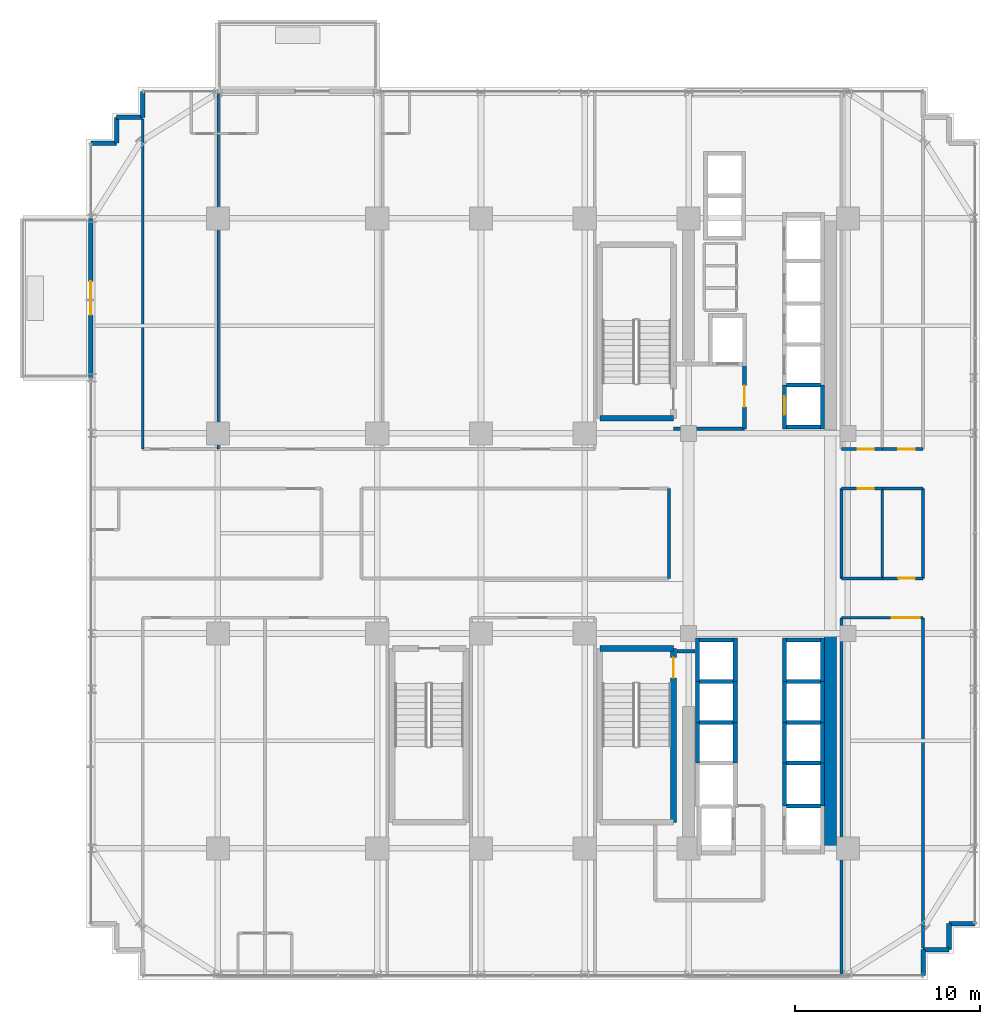
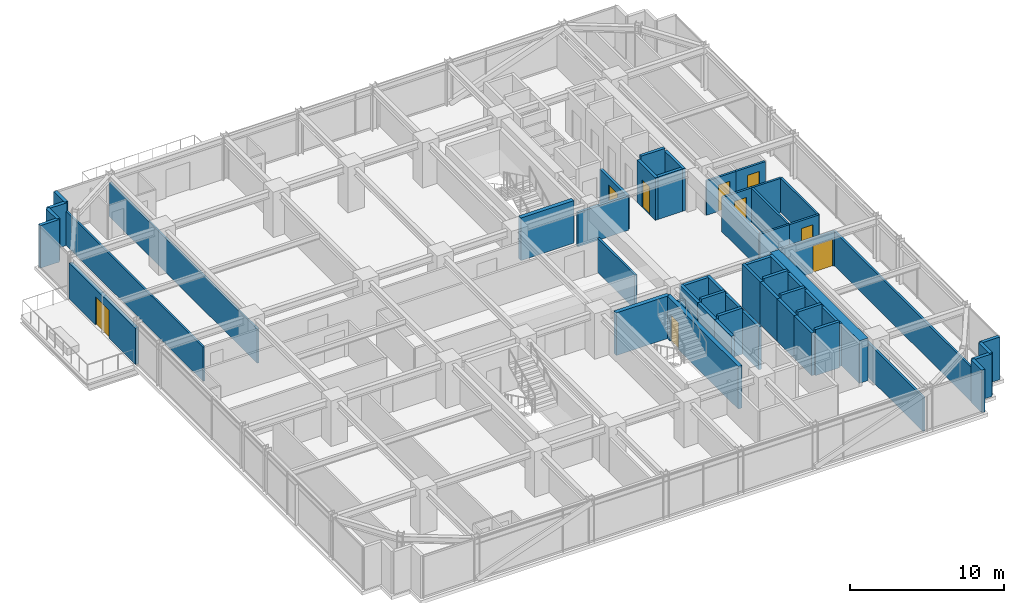
# One storey, part 29 of 35: 57 walls, 9 doors, 9 openings.
"""IFC4 building model written with IfcOpenShell, lengths in metres."""

from ifc_helpers import new_model, si_unit, direction, frame, frame_2d, origin, place, context, subcontext, project, spatial, rectangle, extrude, source, transform, mapped, material, layer, layer_set, type_object, element, fill, save


model = new_model("IFC4")

# Units and contexts
model_context = context("Model", 3, precision=1e-05, world=origin(), true_north=direction((0.0, 1.0)))
body_context = subcontext(model_context, "Body", "Model", "MODEL_VIEW")
ifc_project = project(units=[si_unit("LENGTHUNIT", "METRE"), si_unit("AREAUNIT", "SQUARE_METRE"), si_unit("VOLUMEUNIT", "CUBIC_METRE"), si_unit("PLANEANGLEUNIT", "RADIAN"), si_unit("MASSUNIT", "GRAM", prefix="KILO")], contexts=[model_context])

# Site, building, storey
site_placement = place(None, origin())
site = spatial("IfcSite", under=ifc_project, at=site_placement, CompositionType="ELEMENT")
building_placement = place(site_placement, origin())
building = spatial("IfcBuilding", under=site, at=building_placement, Name="Nahalor Promenade Grand Hotel", CompositionType="ELEMENT")
storey_placement = place(building_placement, frame((0.0, 0.0, 121.14990234375)))
storey = spatial("IfcBuildingStorey", under=building, at=storey_placement, Name="L30", CompositionType="ELEMENT", Elevation=121.14990234375)

# Walls
ifc_material_1 = material(Name="Concrete B-60 (C50/60)", Category="concrete")
ifc_layer_1 = layer(ifc_material_1, 0.64990234375)
ifc_layer_set_1 = layer_set([ifc_layer_1], Name="Concrete B-60 (C50/60)")
wall_type_1 = type_object("IfcWallType", Name="Wall-CoreShear-650", PredefinedType="SHEAR", material=ifc_layer_set_1)
shared_shape_1 = source(origin(), body_context, "Body", "SweptSolid", [
    extrude(rectangle(XDim=11.60009765625, YDim=0.64990234375, at=frame_2d((5.800048828125, 0.0))), origin(), (0.0, 0.0, 1.0), 3.380126953125),
])
wall_1_placement = place(storey_placement, frame((16.050048828125, -17.0, 0.0), z_axis=(0.0, 0.0, 1.0), x_axis=(0.0, 1.0, 0.0)))
element("IfcWall", 1, at=wall_1_placement, inside=storey, type_object=wall_type_1, Name="CWALL-L30-SE", PredefinedType="SHEAR", context=body_context, shape_type="MappedRepresentation", body=[
    mapped(shared_shape_1, transform((0.0, 0.0, 0.0), scale=1.0)),
])
ifc_material_2 = material(Name="Concrete B-50 (C40/50)", Category="concrete")
ifc_layer_2 = layer(ifc_material_2, 0.300048828125)
ifc_layer_set_2 = layer_set([ifc_layer_2], Name="Concrete B-50 (C40/50)")
wall_type_2 = type_object("IfcWallType", Name="Wall-ShaftShear-300", PredefinedType="SHEAR", material=ifc_layer_set_2)
shared_shape_2 = source(origin(), body_context, "Body", "SweptSolid", [
    extrude(rectangle(XDim=3.97998046875, YDim=0.300048828125, at=frame_2d((1.989990234375, 0.0))), origin(), (0.0, 0.0, 1.0), 3.380126953125),
])
for number, where, z_axis, x_axis, name in (
    (2, (3.610107421875, 6.2099609375, 0.0), (0.0, 0.0, 1.0), (1.0, 0.0, 0.0), "L30 Exit Stair ST1 Shaft Wall S"),
    (3, (3.610107421875, -6.2099609375, 0.0), (0.0, 0.0, 1.0), (1.0, 0.0, 0.0), "L30 Exit Stair ST2 Shaft Wall N"),
):
    element("IfcWall", number, at=place(storey_placement, frame(where, z_axis=z_axis, x_axis=x_axis)), inside=storey, type_object=wall_type_2, Name=name, PredefinedType="SHEAR", context=body_context, shape_type="MappedRepresentation", body=[
        mapped(shared_shape_2, transform((0.0, 0.0, 0.0), scale=1.0)),
    ])

# Wall, opening, door
shared_shape_3 = source(origin(), body_context, "Body", "SweptSolid", [
    extrude(rectangle(XDim=9.380126953125, YDim=0.300048828125, at=frame_2d((4.68994140625, 0.0))), origin(), (0.0, 0.0, 1.0), 3.380126953125),
])
wall_2_placement = place(storey_placement, frame((7.590087890625, -15.590087890625, 0.0), z_axis=(0.0, 0.0, 1.0), x_axis=(0.0, 1.0, 0.0)))
wall_2 = element("IfcWall", 4, at=wall_2_placement, inside=storey, type_object=wall_type_2, Name="L30 Exit Stair ST2 Shaft Wall E", PredefinedType="SHEAR", context=body_context, shape_type="MappedRepresentation", body=[
    mapped(shared_shape_3, transform((0.0, 0.0, 0.0), scale=1.0)),
])
opening_1_placement = place(wall_2_placement, frame((7.7900390625, 0.0, 0.0)))
opening_1 = element("IfcOpeningElement", 5, at=opening_1_placement, cuts=wall_2, Name="Opening D-ST1", PredefinedType="OPENING", context=body_context, shape_type="SweptSolid", body=[
    extrude(rectangle(XDim=1.10009765625, YDim=2.14990234375, at=frame_2d((0.550048828125, 1.074951171875))), frame((0.0, 0.159912109375, 0.0), z_axis=(0.0, -1.0, 0.0), x_axis=(1.0, 0.0, 0.0)), (0.0, 0.0, 1.0), 0.320068359375),
])
ifc_material_3 = material(Name="Steel S355JR", Category="steel")
door_type_1 = type_object("IfcDoorType", Name="Door-StairFire-1100", OperationType="NOTDEFINED", PredefinedType="DOOR", material=ifc_material_3)
shared_shape_4 = source(origin(), body_context, "Body", "SweptSolid", [
    extrude(rectangle(XDim=1.10009765625, YDim=2.14990234375, at=frame_2d((0.550048828125, 1.074951171875))), frame((0.0, 0.02490234375, 0.0), z_axis=(0.0, -1.0, 0.0), x_axis=(1.0, 0.0, 0.0)), (0.0, 0.0, 1.0), 0.050048828125),
])
door_1_placement = place(opening_1_placement, origin())
door_1 = element("IfcDoor", 6, at=door_1_placement, inside=storey, type_object=door_type_1, Name="DR-STAIR-ST2-L30", OperationType="SINGLE_SWING_LEFT", OverallHeight=2.14990234375, OverallWidth=1.10009765625, PredefinedType="DOOR", context=body_context, shape_type="MappedRepresentation", body=[
    mapped(shared_shape_4, transform((0.0, 0.0, 0.0), scale=1.0)),
])
fill(opening_1, door_1)

# Walls
ifc_layer_3 = layer(ifc_material_2, 0.219970703125)
ifc_layer_set_3 = layer_set([ifc_layer_3], Name="Concrete B-50 (C40/50)")
wall_type_3 = type_object("IfcWallType", Name="Wall-LiftShaft-220", PredefinedType="SHEAR", material=ifc_layer_set_3)
shared_shape_5 = source(origin(), body_context, "Body", "SweptSolid", [
    extrude(rectangle(XDim=1.820068359375, YDim=0.219970703125, at=frame_2d((0.91015625, 0.0))), origin(), (0.0, 0.0, 1.0), 3.650146484375),
])
for number, where, z_axis, x_axis, name in (
    (7, (13.68994140625, 8.0, 0.0), (0.0, 0.0, 1.0), (1.0, 0.0, 0.0), "L30 Lift PL1 Hoistway Wall N"),
    (8, (13.68994140625, -8.0, 0.0), (0.0, 0.0, 1.0), (1.0, 0.0, 0.0), "L30 Lift PL6 Hoistway Wall N"),
    (9, (13.68994140625, -10.199951171875, 0.0), (0.0, 0.0, 1.0), (1.0, 0.0, 0.0), "L30 Lift PL7 Hoistway Wall N"),
    (10, (13.68994140625, -12.39990234375, 0.0), (0.0, 0.0, 1.0), (1.0, 0.0, 0.0), "L30 Lift PL8 Hoistway Wall N"),
    (11, (8.989990234375, -8.0, 0.0), (0.0, 0.0, 1.0), (1.0, 0.0, 0.0), "L30 Lift PL10 Hoistway Wall N"),
    (12, (8.989990234375, -10.199951171875, 0.0), (0.0, 0.0, 1.0), (1.0, 0.0, 0.0), "L30 Lift PL11 Hoistway Wall N"),
    (13, (13.68994140625, -14.699951171875, 0.0), (0.0, 0.0, 1.0), (1.0, 0.0, 0.0), "L30 Lift SV2 Hoistway Wall N"),
):
    element("IfcWall", number, at=place(storey_placement, frame(where, z_axis=z_axis, x_axis=x_axis)), inside=storey, type_object=wall_type_3, Name=name, PredefinedType="SHEAR", context=body_context, shape_type="MappedRepresentation", body=[
        mapped(shared_shape_5, transform((0.0, 0.0, 0.0), scale=1.0)),
    ])

# Wall, opening, door
shared_shape_6 = source(origin(), body_context, "Body", "SweptSolid", [
    extrude(rectangle(XDim=2.360107421875, YDim=0.219970703125, at=frame_2d((1.18017578125, 0.0))), origin(), (0.0, 0.0, 1.0), 3.380126953125),
])
wall_3_placement = place(storey_placement, frame((13.580078125, 5.639892578125, 0.0), z_axis=(0.0, 0.0, 1.0), x_axis=(0.0, 1.0, 0.0)))
wall_3 = element("IfcWall", 14, at=wall_3_placement, inside=storey, type_object=wall_type_3, Name="L30 Lift PL1 Hoistway Wall W", PredefinedType="SHEAR", context=body_context, shape_type="MappedRepresentation", body=[
    mapped(shared_shape_6, transform((0.0, 0.0, 0.0), scale=1.0)),
])
opening_2_placement = place(wall_3_placement, frame((0.760009765625, 0.0, 0.0)))
opening_2 = element("IfcOpeningElement", 15, at=opening_2_placement, cuts=wall_3, Name="Opening LD-01", PredefinedType="OPENING", context=body_context, shape_type="SweptSolid", body=[
    extrude(rectangle(XDim=1.0, YDim=2.199951171875, at=frame_2d((0.5, 1.10009765625))), frame((0.0, 0.119873046875, 0.0), z_axis=(0.0, -1.0, 0.0), x_axis=(1.0, 0.0, 0.0)), (0.0, 0.0, 1.0), 0.239990234375),
])
door_type_2 = type_object("IfcDoorType", Name="Door-LiftLanding-1000", OperationType="DOUBLE_DOOR_SLIDING", PredefinedType="DOOR", material=ifc_material_3)
shared_shape_7 = source(origin(), body_context, "Body", "SweptSolid", [
    extrude(rectangle(XDim=1.0, YDim=2.199951171875, at=frame_2d((0.5, 1.10009765625))), frame((0.0, 0.02490234375, 0.0), z_axis=(0.0, -1.0, 0.0), x_axis=(1.0, 0.0, 0.0)), (0.0, 0.0, 1.0), 0.050048828125),
])
door_2_placement = place(opening_2_placement, origin())
door_2 = element("IfcDoor", 16, at=door_2_placement, inside=storey, type_object=door_type_2, Name="DR-LIFT-PL1-L30", OperationType="DOUBLE_DOOR_SLIDING", OverallHeight=2.199951171875, OverallWidth=1.0, PredefinedType="DOOR", context=body_context, shape_type="MappedRepresentation", body=[
    mapped(shared_shape_7, transform((0.0, 0.0, 0.0), scale=1.0)),
])
fill(opening_2, door_2)

# Walls
for number, where, z_axis, x_axis, name in (
    (17, (15.6201171875, 5.639892578125, 0.0), (0.0, 0.0, 1.0), (0.0, 1.0, 0.0), "L30 Lift PL1 Hoistway Wall E"),
    (18, (13.580078125, -8.0, 0.0), (0.0, 0.0, 1.0), (0.0, 1.0, 0.0), "L30 Lift PL5 Hoistway Wall W"),
    (19, (15.6201171875, -8.0, 0.0), (0.0, 0.0, 1.0), (0.0, 1.0, 0.0), "L30 Lift PL5 Hoistway Wall E"),
    (20, (8.8798828125, -8.0, 0.0), (0.0, 0.0, 1.0), (0.0, 1.0, 0.0), "L30 Lift PL9 Hoistway Wall W"),
    (21, (10.919921875, -8.0, 0.0), (0.0, 0.0, 1.0), (0.0, 1.0, 0.0), "L30 Lift PL9 Hoistway Wall E"),
):
    element("IfcWall", number, at=place(storey_placement, frame(where, z_axis=z_axis, x_axis=x_axis)), inside=storey, type_object=wall_type_3, Name=name, PredefinedType="SHEAR", context=body_context, shape_type="MappedRepresentation", body=[
        mapped(shared_shape_6, transform((0.0, 0.0, 0.0), scale=1.0)),
    ])
shared_shape_8 = source(origin(), body_context, "Body", "SweptSolid", [
    extrude(rectangle(XDim=1.820068359375, YDim=0.219970703125, at=frame_2d((0.91015625, 0.0))), origin(), (0.0, 0.0, 1.0), 3.380126953125),
])
for number, where, z_axis, x_axis, name in (
    (22, (13.68994140625, 5.75, 0.0), (0.0, 0.0, 1.0), (1.0, 0.0, 0.0), "L30 Lift PL1 Hoistway Wall S"),
    (23, (13.68994140625, -5.75, 0.0), (0.0, 0.0, 1.0), (1.0, 0.0, 0.0), "L30 Lift PL5 Hoistway Wall N"),
    (24, (8.989990234375, -5.75, 0.0), (0.0, 0.0, 1.0), (1.0, 0.0, 0.0), "L30 Lift PL9 Hoistway Wall N"),
):
    element("IfcWall", number, at=place(storey_placement, frame(where, z_axis=z_axis, x_axis=x_axis)), inside=storey, type_object=wall_type_3, Name=name, PredefinedType="SHEAR", context=body_context, shape_type="MappedRepresentation", body=[
        mapped(shared_shape_8, transform((0.0, 0.0, 0.0), scale=1.0)),
    ])
shared_shape_9 = source(origin(), body_context, "Body", "SweptSolid", [
    extrude(rectangle(XDim=2.199951171875, YDim=0.219970703125, at=frame_2d((1.10009765625, 0.0))), origin(), (0.0, 0.0, 1.0), 3.380126953125),
])
for number, where, z_axis, x_axis, name in (
    (25, (13.580078125, -10.199951171875, 0.0), (0.0, 0.0, 1.0), (0.0, 1.0, 0.0), "L30 Lift PL6 Hoistway Wall W"),
    (26, (15.6201171875, -10.199951171875, 0.0), (0.0, 0.0, 1.0), (0.0, 1.0, 0.0), "L30 Lift PL6 Hoistway Wall E"),
    (27, (13.580078125, -12.39990234375, 0.0), (0.0, 0.0, 1.0), (0.0, 1.0, 0.0), "L30 Lift PL7 Hoistway Wall W"),
    (28, (15.6201171875, -12.39990234375, 0.0), (0.0, 0.0, 1.0), (0.0, 1.0, 0.0), "L30 Lift PL7 Hoistway Wall E"),
    (29, (8.8798828125, -10.199951171875, 0.0), (0.0, 0.0, 1.0), (0.0, 1.0, 0.0), "L30 Lift PL10 Hoistway Wall W"),
    (30, (10.919921875, -10.199951171875, 0.0), (0.0, 0.0, 1.0), (0.0, 1.0, 0.0), "L30 Lift PL10 Hoistway Wall E"),
    (31, (8.8798828125, -12.39990234375, 0.0), (0.0, 0.0, 1.0), (0.0, 1.0, 0.0), "L30 Lift PL11 Hoistway Wall W"),
    (32, (10.919921875, -12.39990234375, 0.0), (0.0, 0.0, 1.0), (0.0, 1.0, 0.0), "L30 Lift PL11 Hoistway Wall E"),
):
    element("IfcWall", number, at=place(storey_placement, frame(where, z_axis=z_axis, x_axis=x_axis)), inside=storey, type_object=wall_type_3, Name=name, PredefinedType="SHEAR", context=body_context, shape_type="MappedRepresentation", body=[
        mapped(shared_shape_9, transform((0.0, 0.0, 0.0), scale=1.0)),
    ])
shared_shape_10 = source(origin(), body_context, "Body", "SweptSolid", [
    extrude(rectangle(XDim=2.300048828125, YDim=0.219970703125, at=frame_2d((1.14990234375, 0.0))), origin(), (0.0, 0.0, 1.0), 3.380126953125),
])
for number, where, z_axis, x_axis, name in (
    (33, (13.580078125, -14.699951171875, 0.0), (0.0, 0.0, 1.0), (0.0, 1.0, 0.0), "L30 Lift PL8 Hoistway Wall W"),
    (34, (15.6201171875, -14.699951171875, 0.0), (0.0, 0.0, 1.0), (0.0, 1.0, 0.0), "L30 Lift PL8 Hoistway Wall E"),
):
    element("IfcWall", number, at=place(storey_placement, frame(where, z_axis=z_axis, x_axis=x_axis)), inside=storey, type_object=wall_type_3, Name=name, PredefinedType="SHEAR", context=body_context, shape_type="MappedRepresentation", body=[
        mapped(shared_shape_10, transform((0.0, 0.0, 0.0), scale=1.0)),
    ])
ifc_material_4 = material(Name="Concrete B-40 (C32/40)", Category="concrete")
ifc_layer_4 = layer(ifc_material_4, 0.25)
ifc_layer_set_4 = layer_set([ifc_layer_4], Name="Concrete B-40 (C32/40)")
wall_type_4 = type_object("IfcWallType", Name="Wall-BronzePier-250", PredefinedType="STANDARD", material=ifc_layer_set_4)
shared_shape_11 = source(origin(), body_context, "Body", "SweptSolid", [
    extrude(rectangle(XDim=1.400146484375, YDim=0.25, at=frame_2d((0.7001953125, 0.0))), origin(), (0.0, 0.0, 1.0), 3.380126953125),
])
for number, where, z_axis, x_axis, name in (
    (35, (21.06005859375, -23.860107421875, 0.0), (0.0, 0.0, 1.0), (0.0, 1.0, 0.0), "W-L30-SR-01"),
    (36, (22.4599609375, -21.06005859375, 0.0), (0.0, 0.0, 1.0), (1.0, 0.0, 0.0), "W-L30-SR-04"),
    (37, (-21.06005859375, 22.4599609375, 0.0), (0.0, 0.0, 1.0), (0.0, 1.0, 0.0), "W-L30-SR-09"),
    (38, (-23.860107421875, 21.06005859375, 0.0), (0.0, 0.0, 1.0), (1.0, 0.0, 0.0), "W-L30-SR-12"),
):
    element("IfcWall", number, at=place(storey_placement, frame(where, z_axis=z_axis, x_axis=x_axis)), inside=storey, type_object=wall_type_4, Name=name, PredefinedType="STANDARD", context=body_context, shape_type="MappedRepresentation", body=[
        mapped(shared_shape_11, transform((0.0, 0.0, 0.0), scale=1.0)),
    ])
shared_shape_12 = source(origin(), body_context, "Body", "SweptSolid", [
    extrude(rectangle(XDim=1.39990234375, YDim=0.25, at=frame_2d((0.699951171875, 0.0))), origin(), (0.0, 0.0, 1.0), 3.380126953125),
])
for number, where, z_axis, x_axis, name in (
    (39, (21.06005859375, -22.4599609375, 0.0), (0.0, 0.0, 1.0), (1.0, 0.0, 0.0), "W-L30-SR-02"),
    (40, (22.4599609375, -22.4599609375, 0.0), (0.0, 0.0, 1.0), (0.0, 1.0, 0.0), "W-L30-SR-03"),
    (41, (-22.4599609375, 22.4599609375, 0.0), (0.0, 0.0, 1.0), (1.0, 0.0, 0.0), "W-L30-SR-10"),
    (42, (-22.4599609375, 21.06005859375, 0.0), (0.0, 0.0, 1.0), (0.0, 1.0, 0.0), "W-L30-SR-11"),
):
    element("IfcWall", number, at=place(storey_placement, frame(where, z_axis=z_axis, x_axis=x_axis)), inside=storey, type_object=wall_type_4, Name=name, PredefinedType="STANDARD", context=body_context, shape_type="MappedRepresentation", body=[
        mapped(shared_shape_12, transform((0.0, 0.0, 0.0), scale=1.0)),
    ])

# Wall, opening, door
ifc_layer_5 = layer(ifc_material_4, 0.260009765625)
ifc_layer_set_5 = layer_set([ifc_layer_5], Name="Concrete B-40 (C32/40)")
wall_type_5 = type_object("IfcWallType", Name="Wall-BalconyWall-260", PredefinedType="STANDARD", material=ifc_layer_set_5)
shared_shape_13 = source(origin(), body_context, "Body", "SweptSolid", [
    extrude(rectangle(XDim=8.60009765625, YDim=0.260009765625, at=frame_2d((4.300048828125, 0.0))), origin(), (0.0, 0.0, 1.0), 2.860107421875),
])
wall_4_placement = place(storey_placement, frame((-23.860107421875, 8.39990234375, 0.0), z_axis=(0.0, 0.0, 1.0), x_axis=(0.0, 1.0, 0.0)))
wall_4 = element("IfcWall", 43, at=wall_4_placement, inside=storey, type_object=wall_type_5, Name="W-L30-BALC-W-2", PredefinedType="STANDARD", context=body_context, shape_type="MappedRepresentation", body=[
    mapped(shared_shape_13, transform((0.0, 0.0, 0.0), scale=1.0)),
])
opening_3_placement = place(wall_4_placement, frame((3.39990234375, 0.0, 0.0)))
opening_3 = element("IfcOpeningElement", 44, at=opening_3_placement, cuts=wall_4, Name="Opening D-BC1", PredefinedType="OPENING", context=body_context, shape_type="SweptSolid", body=[
    extrude(rectangle(XDim=1.800048828125, YDim=2.25, at=frame_2d((0.89990234375, 1.125))), frame((0.0, 0.139892578125, 0.0), z_axis=(0.0, -1.0, 0.0), x_axis=(1.0, 0.0, 0.0)), (0.0, 0.0, 1.0), 0.280029296875),
])
ifc_material_5 = material(Name="Anodised Bronze Aluminium EN AW-6063 T6", Category="aluminium")
door_type_3 = type_object("IfcDoorType", Name="Door-BalconySlide-1800", OperationType="DOUBLE_DOOR_SLIDING", PredefinedType="DOOR", material=ifc_material_5)
shared_shape_14 = source(origin(), body_context, "Body", "SweptSolid", [
    extrude(rectangle(XDim=1.800048828125, YDim=2.25, at=frame_2d((0.89990234375, 1.125))), frame((0.0, 0.02490234375, 0.0), z_axis=(0.0, -1.0, 0.0), x_axis=(1.0, 0.0, 0.0)), (0.0, 0.0, 1.0), 0.050048828125),
])
door_3_placement = place(opening_3_placement, origin())
door_3 = element("IfcDoor", 45, at=door_3_placement, inside=storey, type_object=door_type_3, Name="DR-L30-BALC-W-2", OperationType="DOUBLE_DOOR_SLIDING", OverallHeight=2.25, OverallWidth=1.800048828125, PredefinedType="DOOR", context=body_context, shape_type="MappedRepresentation", body=[
    mapped(shared_shape_14, transform((0.0, 0.0, 0.0), scale=1.0)),
])
fill(opening_3, door_3)

# Wall
ifc_layer_6 = layer(ifc_material_4, 0.199951171875)
ifc_layer_set_6 = layer_set([ifc_layer_6], Name="Concrete B-40 (C32/40)")
wall_type_6 = type_object("IfcWallType", Name="Wall-PartFire-200", PredefinedType="PARTITIONING", material=ifc_layer_set_6)
shared_shape_15 = source(origin(), body_context, "Body", "SweptSolid", [
    extrude(rectangle(XDim=3.81982421875, YDim=0.199951171875, at=frame_2d((1.909912109375, 0.0))), origin(), (0.0, 0.0, 1.0), 2.72021484375),
])
wall_5_placement = place(storey_placement, frame((7.60009765625, 5.64990234375, 0.0), z_axis=(0.0, 0.0, 1.0), x_axis=(1.0, 0.0, 0.0)))
element("IfcWall", 46, at=wall_5_placement, inside=storey, type_object=wall_type_6, Name="W-L30-FF1-S", PredefinedType="PARTITIONING", context=body_context, shape_type="MappedRepresentation", body=[
    mapped(shared_shape_15, transform((0.0, 0.0, 0.0), scale=1.0)),
])

# Wall, opening, door
shared_shape_16 = source(origin(), body_context, "Body", "SweptSolid", [
    extrude(rectangle(XDim=3.5, YDim=0.199951171875, at=frame_2d((1.75, 0.0))), origin(), (0.0, 0.0, 1.0), 2.72021484375),
])
wall_6_placement = place(storey_placement, frame((11.419921875, 5.64990234375, 0.0), z_axis=(0.0, 0.0, 1.0), x_axis=(0.0, 1.0, 0.0)))
wall_6 = element("IfcWall", 47, at=wall_6_placement, inside=storey, type_object=wall_type_6, Name="W-L30-FF1-E", PredefinedType="PARTITIONING", context=body_context, shape_type="MappedRepresentation", body=[
    mapped(shared_shape_16, transform((0.0, 0.0, 0.0), scale=1.0)),
])
opening_4_placement = place(wall_6_placement, frame((1.175048828125, 0.0, 0.0)))
opening_4 = element("IfcOpeningElement", 48, at=opening_4_placement, cuts=wall_6, Name="Opening D-FF1", PredefinedType="OPENING", context=body_context, shape_type="SweptSolid", body=[
    extrude(rectangle(XDim=1.14990234375, YDim=2.14990234375, at=frame_2d((0.574951171875, 1.074951171875))), frame((0.0, 0.10986328125, 0.0), z_axis=(0.0, -1.0, 0.0), x_axis=(1.0, 0.0, 0.0)), (0.0, 0.0, 1.0), 0.219970703125),
])
door_type_4 = type_object("IfcDoorType", Name="Door-FFLobby-1150", OperationType="NOTDEFINED", PredefinedType="DOOR", material=ifc_material_3)
shared_shape_17 = source(origin(), body_context, "Body", "SweptSolid", [
    extrude(rectangle(XDim=1.14990234375, YDim=2.14990234375, at=frame_2d((0.574951171875, 1.074951171875))), frame((0.0, 0.02490234375, 0.0), z_axis=(0.0, -1.0, 0.0), x_axis=(1.0, 0.0, 0.0)), (0.0, 0.0, 1.0), 0.050048828125),
])
door_4_placement = place(opening_4_placement, frame((1.14990234375, 0.0, 0.0), z_axis=(0.0, 0.0, 1.0), x_axis=(-1.0, 0.0, 0.0)))
door_4 = element("IfcDoor", 49, at=door_4_placement, inside=storey, type_object=door_type_4, Name="DR-L30-FFL1", OperationType="SINGLE_SWING_LEFT", OverallHeight=2.14990234375, OverallWidth=1.14990234375, PredefinedType="DOOR", context=body_context, shape_type="MappedRepresentation", body=[
    mapped(shared_shape_17, transform((0.0, 0.0, 0.0), scale=1.0)),
])
fill(opening_4, door_4)

# Wall
shared_shape_18 = source(origin(), body_context, "Body", "SweptSolid", [
    extrude(rectangle(XDim=0.969970703125, YDim=0.199951171875, at=frame_2d((0.48486328125, 0.0))), origin(), (0.0, 0.0, 1.0), 2.72021484375),
])
wall_7_placement = place(storey_placement, frame((7.77001953125, -6.35009765625, 0.0), z_axis=(0.0, 0.0, 1.0), x_axis=(1.0, 0.0, 0.0)))
element("IfcWall", 50, at=wall_7_placement, inside=storey, type_object=wall_type_6, Name="W-L30-FF2-N2", PredefinedType="PARTITIONING", context=body_context, shape_type="MappedRepresentation", body=[
    mapped(shared_shape_18, transform((0.0, 0.0, 0.0), scale=1.0)),
])

# Wall, opening, door
ifc_material_6 = material(Name="Acoustic Mineral Gypsum", Category="gypsum")
ifc_layer_7 = layer(ifc_material_6, 0.159912109375)
ifc_layer_set_7 = layer_set([ifc_layer_7], Name="Acoustic Mineral Gypsum")
wall_type_7 = type_object("IfcWallType", Name="Wall-PartCorridor-160", PredefinedType="PARTITIONING", material=ifc_layer_set_7)
shared_shape_19 = source(origin(), body_context, "Body", "SweptSolid", [
    extrude(rectangle(XDim=4.41015625, YDim=0.159912109375, at=frame_2d((2.205078125, 0.0))), origin(), (0.0, 0.0, 1.0), 2.72021484375),
])
wall_8_placement = place(storey_placement, frame((16.64990234375, -4.550048828125, 0.0), z_axis=(0.0, 0.0, 1.0), x_axis=(1.0, 0.0, 0.0)))
wall_8 = element("IfcWall", 51, at=wall_8_placement, inside=storey, type_object=wall_type_7, Name="W-L30-ESE-N", PredefinedType="PARTITIONING", context=body_context, shape_type="MappedRepresentation", body=[
    mapped(shared_shape_19, transform((0.0, 0.0, 0.0), scale=1.0)),
])
opening_5_placement = place(wall_8_placement, frame((2.721923828125, 0.0, 0.0)))
opening_5 = element("IfcOpeningElement", 52, at=opening_5_placement, cuts=wall_8, Name="Opening D-02", PredefinedType="OPENING", context=body_context, shape_type="SweptSolid", body=[
    extrude(rectangle(XDim=1.5, YDim=2.14990234375, at=frame_2d((0.75, 1.074951171875))), frame((0.0, 0.08984375, 0.0), z_axis=(0.0, -1.0, 0.0), x_axis=(1.0, 0.0, 0.0)), (0.0, 0.0, 1.0), 0.179931640625),
])
ifc_material_7 = material(Name="Fire-Rated Timber Composite", Category="wood")
door_type_5 = type_object("IfcDoorType", Name="Door-SuiteDouble-1500", OperationType="DOUBLE_DOOR_SINGLE_SWING", PredefinedType="DOOR", material=ifc_material_7)
shared_shape_20 = source(origin(), body_context, "Body", "SweptSolid", [
    extrude(rectangle(XDim=1.5, YDim=2.14990234375, at=frame_2d((0.75, 1.074951171875))), frame((0.0, 0.02490234375, 0.0), z_axis=(0.0, -1.0, 0.0), x_axis=(1.0, 0.0, 0.0)), (0.0, 0.0, 1.0), 0.050048828125),
])
door_5_placement = place(opening_5_placement, frame((1.5, 0.0, 0.0), z_axis=(0.0, 0.0, 1.0), x_axis=(-1.0, 0.0, 0.0)))
door_5 = element("IfcDoor", 53, at=door_5_placement, inside=storey, type_object=door_type_5, Name="DR-L30-ESE", OperationType="DOUBLE_DOOR_SINGLE_SWING", OverallHeight=2.14990234375, OverallWidth=1.5, PredefinedType="DOOR", context=body_context, shape_type="MappedRepresentation", body=[
    mapped(shared_shape_20, transform((0.0, 0.0, 0.0), scale=1.0)),
])
fill(opening_5, door_5)

# Walls
shared_shape_21 = source(origin(), body_context, "Body", "SweptSolid", [
    extrude(rectangle(XDim=19.25, YDim=0.159912109375, at=frame_2d((9.625, 0.0))), origin(), (0.0, 0.0, 1.0), 2.72021484375),
])
wall_9_placement = place(storey_placement, frame((16.64990234375, -23.800048828125, 0.0), z_axis=(0.0, 0.0, 1.0), x_axis=(0.0, 1.0, 0.0)))
element("IfcWall", 54, at=wall_9_placement, inside=storey, type_object=wall_type_7, Name="W-L30-ESE-W", PredefinedType="PARTITIONING", context=body_context, shape_type="MappedRepresentation", body=[
    mapped(shared_shape_21, transform((0.0, 0.0, 0.0), scale=1.0)),
])
shared_shape_22 = source(origin(), body_context, "Body", "SweptSolid", [
    extrude(rectangle(XDim=17.829833984375, YDim=0.159912109375, at=frame_2d((8.9150390625, 0.0))), origin(), (0.0, 0.0, 1.0), 2.72021484375),
])
wall_10_placement = place(storey_placement, frame((21.06005859375, -22.3798828125, 0.0), z_axis=(0.0, 0.0, 1.0), x_axis=(0.0, 1.0, 0.0)))
element("IfcWall", 55, at=wall_10_placement, inside=storey, type_object=wall_type_7, Name="W-L30-ESE-E", PredefinedType="PARTITIONING", context=body_context, shape_type="MappedRepresentation", body=[
    mapped(shared_shape_22, transform((0.0, 0.0, 0.0), scale=1.0)),
])

# Wall, opening, door
shared_shape_23 = source(origin(), body_context, "Body", "SweptSolid", [
    extrude(rectangle(XDim=2.205078125, YDim=0.159912109375, at=frame_2d((1.1025390625, 0.0))), origin(), (0.0, 0.0, 1.0), 2.72021484375),
])
wall_11_placement = place(storey_placement, frame((16.64990234375, 4.550048828125, 0.0), z_axis=(0.0, 0.0, 1.0), x_axis=(1.0, 0.0, 0.0)))
wall_11 = element("IfcWall", 56, at=wall_11_placement, inside=storey, type_object=wall_type_7, Name="W-L30-ENE1-S", PredefinedType="PARTITIONING", context=body_context, shape_type="MappedRepresentation", body=[
    mapped(shared_shape_23, transform((0.0, 0.0, 0.0), scale=1.0)),
])
opening_6_placement = place(wall_11_placement, frame((0.875, 0.0, 0.0)))
opening_6 = element("IfcOpeningElement", 57, at=opening_6_placement, cuts=wall_11, Name="Opening D-03", PredefinedType="OPENING", context=body_context, shape_type="SweptSolid", body=[
    extrude(rectangle(XDim=0.8798828125, YDim=2.10009765625, at=frame_2d((0.43994140625, 1.050048828125))), frame((0.0, 0.08984375, 0.0), z_axis=(0.0, -1.0, 0.0), x_axis=(1.0, 0.0, 0.0)), (0.0, 0.0, 1.0), 0.179931640625),
])
door_type_6 = type_object("IfcDoorType", Name="Door-BathSwing-880", OperationType="NOTDEFINED", PredefinedType="DOOR", material=ifc_material_7)
shared_shape_24 = source(origin(), body_context, "Body", "SweptSolid", [
    extrude(rectangle(XDim=0.8798828125, YDim=2.10009765625, at=frame_2d((0.43994140625, 1.050048828125))), frame((0.0, 0.02490234375, 0.0), z_axis=(0.0, -1.0, 0.0), x_axis=(1.0, 0.0, 0.0)), (0.0, 0.0, 1.0), 0.050048828125),
])
door_6_placement = place(opening_6_placement, origin())
door_6 = element("IfcDoor", 58, at=door_6_placement, inside=storey, type_object=door_type_6, Name="DR-L30-ENE1", OperationType="SINGLE_SWING_RIGHT", OverallHeight=2.10009765625, OverallWidth=0.8798828125, PredefinedType="DOOR", context=body_context, shape_type="MappedRepresentation", body=[
    mapped(shared_shape_24, transform((0.0, 0.0, 0.0), scale=1.0)),
])
fill(opening_6, door_6)

wall_12_placement = place(storey_placement, frame((18.85498046875, 4.550048828125, 0.0), z_axis=(0.0, 0.0, 1.0), x_axis=(1.0, 0.0, 0.0)))
wall_12 = element("IfcWall", 59, at=wall_12_placement, inside=storey, type_object=wall_type_7, Name="W-L30-ENE2-S", PredefinedType="PARTITIONING", context=body_context, shape_type="MappedRepresentation", body=[
    mapped(shared_shape_23, transform((0.0, 0.0, 0.0), scale=1.0)),
])
opening_7_placement = place(wall_12_placement, frame((0.875, 0.0, 0.0)))
opening_7 = element("IfcOpeningElement", 60, at=opening_7_placement, cuts=wall_12, Name="Opening D-03", PredefinedType="OPENING", context=body_context, shape_type="SweptSolid", body=[
    extrude(rectangle(XDim=0.8798828125, YDim=2.10009765625, at=frame_2d((0.43994140625, 1.050048828125))), frame((0.0, 0.08984375, 0.0), z_axis=(0.0, -1.0, 0.0), x_axis=(1.0, 0.0, 0.0)), (0.0, 0.0, 1.0), 0.179931640625),
])
door_7_placement = place(opening_7_placement, origin())
door_7 = element("IfcDoor", 61, at=door_7_placement, inside=storey, type_object=door_type_6, Name="DR-L30-ENE2", OperationType="SINGLE_SWING_LEFT", OverallHeight=2.10009765625, OverallWidth=0.8798828125, PredefinedType="DOOR", context=body_context, shape_type="MappedRepresentation", body=[
    mapped(shared_shape_24, transform((0.0, 0.0, 0.0), scale=1.0)),
])
fill(opening_7, door_7)

# Wall
wall_13_placement = place(storey_placement, frame((16.64990234375, -2.419921875, 0.0), z_axis=(0.0, 0.0, 1.0), x_axis=(1.0, 0.0, 0.0)))
element("IfcWall", 62, at=wall_13_placement, inside=storey, type_object=wall_type_7, Name="W-L30-ECW1-S", PredefinedType="PARTITIONING", context=body_context, shape_type="MappedRepresentation", body=[
    mapped(shared_shape_23, transform((0.0, 0.0, 0.0), scale=1.0)),
])

# Wall, opening, door
wall_14_placement = place(storey_placement, frame((16.64990234375, 2.419921875, 0.0), z_axis=(0.0, 0.0, 1.0), x_axis=(1.0, 0.0, 0.0)))
wall_14 = element("IfcWall", 63, at=wall_14_placement, inside=storey, type_object=wall_type_7, Name="W-L30-ECW1-N", PredefinedType="PARTITIONING", context=body_context, shape_type="MappedRepresentation", body=[
    mapped(shared_shape_23, transform((0.0, 0.0, 0.0), scale=1.0)),
])
opening_8_placement = place(wall_14_placement, frame((0.875, 0.0, 0.0)))
opening_8 = element("IfcOpeningElement", 64, at=opening_8_placement, cuts=wall_14, Name="Opening D-03", PredefinedType="OPENING", context=body_context, shape_type="SweptSolid", body=[
    extrude(rectangle(XDim=0.8798828125, YDim=2.10009765625, at=frame_2d((0.43994140625, 1.050048828125))), frame((0.0, 0.08984375, 0.0), z_axis=(0.0, -1.0, 0.0), x_axis=(1.0, 0.0, 0.0)), (0.0, 0.0, 1.0), 0.179931640625),
])
door_8_placement = place(opening_8_placement, frame((0.8798828125, 0.0, 0.0), z_axis=(0.0, 0.0, 1.0), x_axis=(-1.0, 0.0, 0.0)))
door_8 = element("IfcDoor", 65, at=door_8_placement, inside=storey, type_object=door_type_6, Name="DR-L30-ECW1", OperationType="SINGLE_SWING_LEFT", OverallHeight=2.10009765625, OverallWidth=0.8798828125, PredefinedType="DOOR", context=body_context, shape_type="MappedRepresentation", body=[
    mapped(shared_shape_24, transform((0.0, 0.0, 0.0), scale=1.0)),
])
fill(opening_8, door_8)

wall_15_placement = place(storey_placement, frame((18.85498046875, -2.419921875, 0.0), z_axis=(0.0, 0.0, 1.0), x_axis=(1.0, 0.0, 0.0)))
wall_15 = element("IfcWall", 66, at=wall_15_placement, inside=storey, type_object=wall_type_7, Name="W-L30-ECW2-S", PredefinedType="PARTITIONING", context=body_context, shape_type="MappedRepresentation", body=[
    mapped(shared_shape_23, transform((0.0, 0.0, 0.0), scale=1.0)),
])
opening_9_placement = place(wall_15_placement, frame((0.875, 0.0, 0.0)))
opening_9 = element("IfcOpeningElement", 67, at=opening_9_placement, cuts=wall_15, Name="Opening D-03", PredefinedType="OPENING", context=body_context, shape_type="SweptSolid", body=[
    extrude(rectangle(XDim=0.8798828125, YDim=2.10009765625, at=frame_2d((0.43994140625, 1.050048828125))), frame((0.0, 0.08984375, 0.0), z_axis=(0.0, -1.0, 0.0), x_axis=(1.0, 0.0, 0.0)), (0.0, 0.0, 1.0), 0.179931640625),
])
door_9_placement = place(opening_9_placement, origin())
door_9 = element("IfcDoor", 68, at=door_9_placement, inside=storey, type_object=door_type_6, Name="DR-L30-ECW2", OperationType="SINGLE_SWING_RIGHT", OverallHeight=2.10009765625, OverallWidth=0.8798828125, PredefinedType="DOOR", context=body_context, shape_type="MappedRepresentation", body=[
    mapped(shared_shape_24, transform((0.0, 0.0, 0.0), scale=1.0)),
])
fill(opening_9, door_9)

# Walls
wall_16_placement = place(storey_placement, frame((18.85498046875, 2.419921875, 0.0), z_axis=(0.0, 0.0, 1.0), x_axis=(1.0, 0.0, 0.0)))
element("IfcWall", 69, at=wall_16_placement, inside=storey, type_object=wall_type_7, Name="W-L30-ECW2-N", PredefinedType="PARTITIONING", context=body_context, shape_type="MappedRepresentation", body=[
    mapped(shared_shape_23, transform((0.0, 0.0, 0.0), scale=1.0)),
])
ifc_layer_8 = layer(ifc_material_6, 0.139892578125)
ifc_layer_set_8 = layer_set([ifc_layer_8], Name="Acoustic Mineral Gypsum")
wall_type_8 = type_object("IfcWallType", Name="Wall-PartSuite-140", PredefinedType="PARTITIONING", material=ifc_layer_set_8)
shared_shape_25 = source(origin(), body_context, "Body", "SweptSolid", [
    extrude(rectangle(XDim=17.829833984375, YDim=0.139892578125, at=frame_2d((8.9150390625, 0.0))), origin(), (0.0, 0.0, 1.0), 2.72021484375),
])
wall_17_placement = place(storey_placement, frame((-21.06005859375, 4.550048828125, 0.0), z_axis=(0.0, 0.0, 1.0), x_axis=(0.0, 1.0, 0.0)))
element("IfcWall", 70, at=wall_17_placement, inside=storey, type_object=wall_type_8, Name="W-L30-NW-ENDW", PredefinedType="PARTITIONING", context=body_context, shape_type="MappedRepresentation", body=[
    mapped(shared_shape_25, transform((0.0, 0.0, 0.0), scale=1.0)),
])
shared_shape_26 = source(origin(), body_context, "Body", "SweptSolid", [
    extrude(rectangle(XDim=19.25, YDim=0.139892578125, at=frame_2d((9.625, 0.0))), origin(), (0.0, 0.0, 1.0), 2.72021484375),
])
wall_18_placement = place(storey_placement, frame((-16.985107421875, 4.550048828125, 0.0), z_axis=(0.0, 0.0, 1.0), x_axis=(0.0, 1.0, 0.0)))
element("IfcWall", 71, at=wall_18_placement, inside=storey, type_object=wall_type_8, Name="W-L30-NP-1", PredefinedType="PARTITIONING", context=body_context, shape_type="MappedRepresentation", body=[
    mapped(shared_shape_26, transform((0.0, 0.0, 0.0), scale=1.0)),
])
shared_shape_27 = source(origin(), body_context, "Body", "SweptSolid", [
    extrude(rectangle(XDim=4.83984375, YDim=0.159912109375, at=frame_2d((2.419921875, 0.0))), origin(), (0.0, 0.0, 1.0), 2.72021484375),
])
for number, where, z_axis, x_axis, name in (
    (72, (7.35009765625, -2.419921875, 0.0), (0.0, 0.0, 1.0), (0.0, 1.0, 0.0), "W-L30-CM1-E"),
    (73, (16.64990234375, -2.419921875, 0.0), (0.0, 0.0, 1.0), (0.0, 1.0, 0.0), "W-L30-ECW1-W"),
    (74, (18.85498046875, -2.419921875, 0.0), (0.0, 0.0, 1.0), (0.0, 1.0, 0.0), "W-L30-ECW1-E"),
    (75, (21.06005859375, -2.419921875, 0.0), (0.0, 0.0, 1.0), (0.0, 1.0, 0.0), "W-L30-ECW2-E"),
):
    element("IfcWall", number, at=place(storey_placement, frame(where, z_axis=z_axis, x_axis=x_axis)), inside=storey, type_object=wall_type_7, Name=name, PredefinedType="PARTITIONING", context=body_context, shape_type="MappedRepresentation", body=[
        mapped(shared_shape_27, transform((0.0, 0.0, 0.0), scale=1.0)),
    ])

save(model, "model.ifc")
